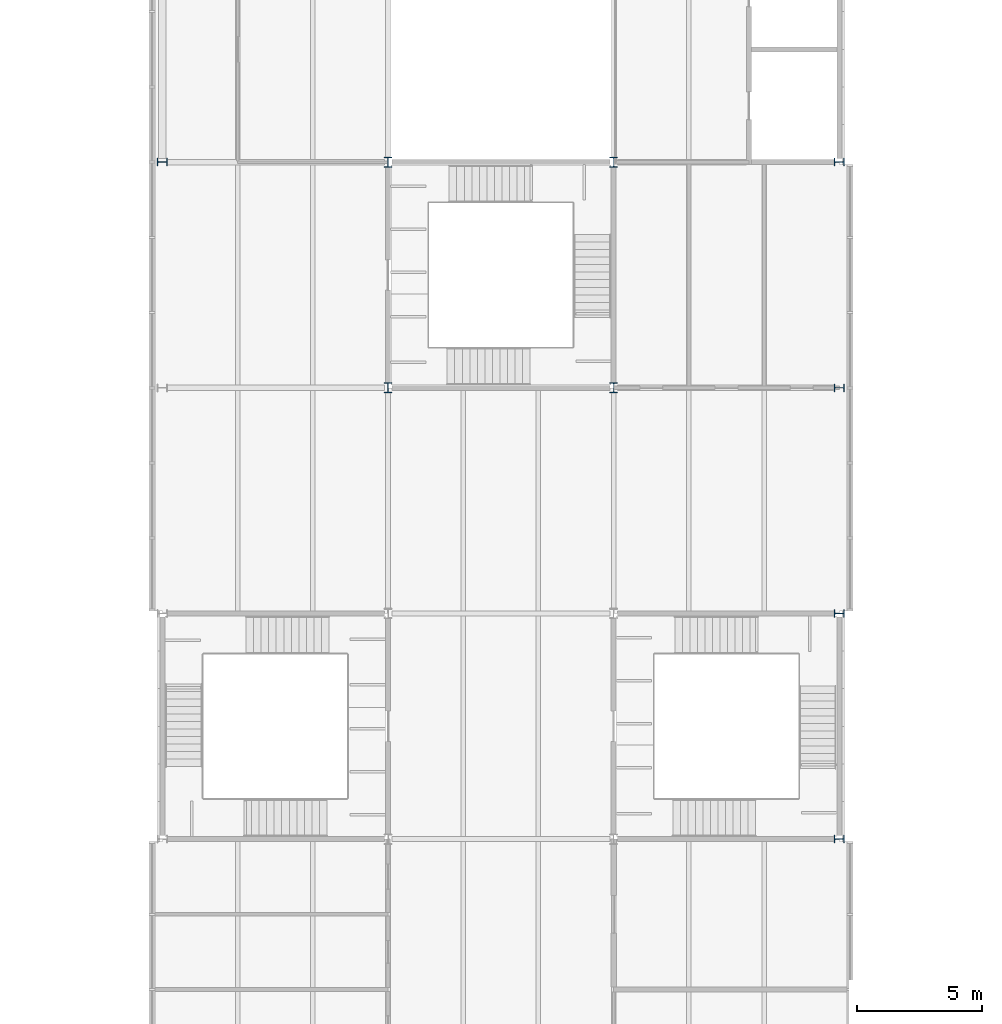
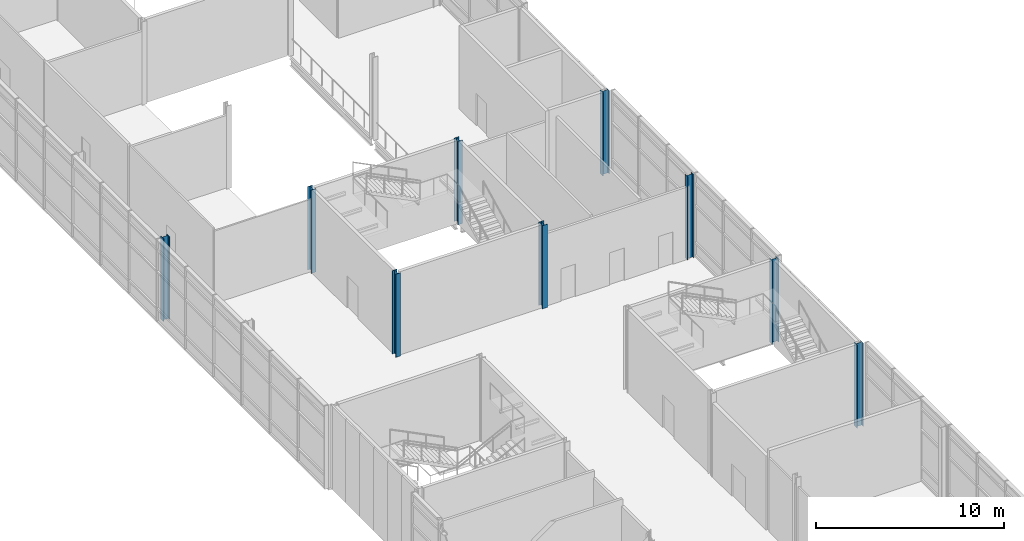
# One storey, part 2 of 56: 9 columns.
"""IFC4 building model written with IfcOpenShell, lengths in metres."""

from ifc_helpers import new_model, si_unit, direction, frame, origin, origin_2d, place, context, subcontext, project, spatial, i_section, extrude, material, material_profile, profile_set, type_object, element, save


model = new_model("IFC4")

# Units and contexts
model_context = context("Model", 3, precision=1e-05, world=origin(), true_north=direction((0.0, 1.0)))
body_context = subcontext(model_context, "Body", "Model", "MODEL_VIEW")
ifc_project = project(units=[si_unit("LENGTHUNIT", "METRE"), si_unit("AREAUNIT", "SQUARE_METRE"), si_unit("VOLUMEUNIT", "CUBIC_METRE"), si_unit("PLANEANGLEUNIT", "RADIAN"), si_unit("MASSUNIT", "GRAM", prefix="KILO")], contexts=[model_context])

# Site, building, storey
site_placement = place(None, origin())
site = spatial("IfcSite", under=ifc_project, at=site_placement, CompositionType="ELEMENT")
building_placement = place(site_placement, origin())
building = spatial("IfcBuilding", under=site, at=building_placement, Name="Azimuth Sports and Learning Centre", CompositionType="ELEMENT")
storey_placement = place(building_placement, frame((0.0, 0.0, 5.39990234375)))
storey = spatial("IfcBuildingStorey", under=building, at=storey_placement, Name="L01", CompositionType="ELEMENT", Elevation=5.39990234375)

# Columns
ifc_material = material(Name="Steel S355", Category="steel")
ifc_material_profile = material_profile(ifc_material, i_section(OverallWidth=0.300048828125, OverallDepth=0.39990234375, WebThickness=0.013427734375, FlangeThickness=0.02392578125, FilletRadius=0.027099609375, at=origin_2d()), Name="HEB 400")
ifc_profile_set = profile_set([ifc_material_profile], Name="Steel S355")
column_type = type_object("IfcColumnType", Name="Column HEB 400", PredefinedType="COLUMN", material=ifc_profile_set)
for number, where, z_axis, x_axis, name in (
    (1, (99.0, 27.0, 0.0), (0.0, 0.0, 1.0), (0.0, 1.0, 0.0), "Column 12D L01"),
    (2, (99.0, 36.0, 0.0), (0.0, 0.0, 1.0), (0.0, 1.0, 0.0), "Column 12E L01"),
    (3, (81.0, 45.0, 0.0), (0.0, 0.0, 1.0), (1.0, 0.0, 0.0), "Column 10F L01"),
    (4, (90.0, 45.0, 0.0), (0.0, 0.0, 1.0), (1.0, 0.0, 0.0), "Column 11F L01"),
    (5, (99.0, 45.0, 0.0), (0.0, 0.0, 1.0), (0.0, 1.0, 0.0), "Column 12F L01"),
    (6, (72.0, 54.0, 0.0), (0.0, 0.0, 1.0), (0.0, 1.0, 0.0), "Column 9G L01"),
    (7, (81.0, 54.0, 0.0), (0.0, 0.0, 1.0), (1.0, 0.0, 0.0), "Column 10G L01"),
    (8, (90.0, 54.0, 0.0), (0.0, 0.0, 1.0), (1.0, 0.0, 0.0), "Column 11G L01"),
    (9, (99.0, 54.0, 0.0), (0.0, 0.0, 1.0), (0.0, 1.0, 0.0), "Column 12G L01"),
):
    element("IfcColumn", number, at=place(storey_placement, frame(where, z_axis=z_axis, x_axis=x_axis)), inside=storey, type_object=column_type, Name=name, PredefinedType="COLUMN", context=body_context, shape_type="SweptSolid", body=[
        extrude(i_section(OverallWidth=0.300048828125, OverallDepth=0.39990234375, WebThickness=0.013427734375, FlangeThickness=0.02392578125, FilletRadius=0.027099609375, at=origin_2d()), origin(), (0.0, 0.0, 1.0), 5.400146484375),
    ])

save(model, "model.ifc")
